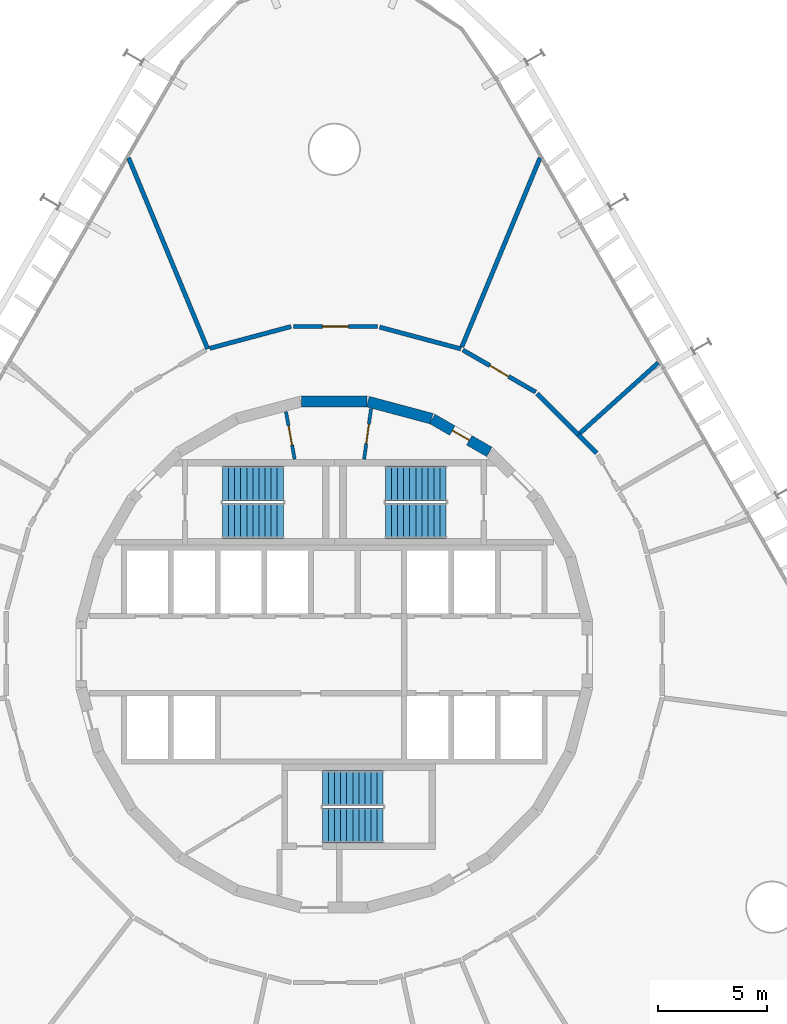
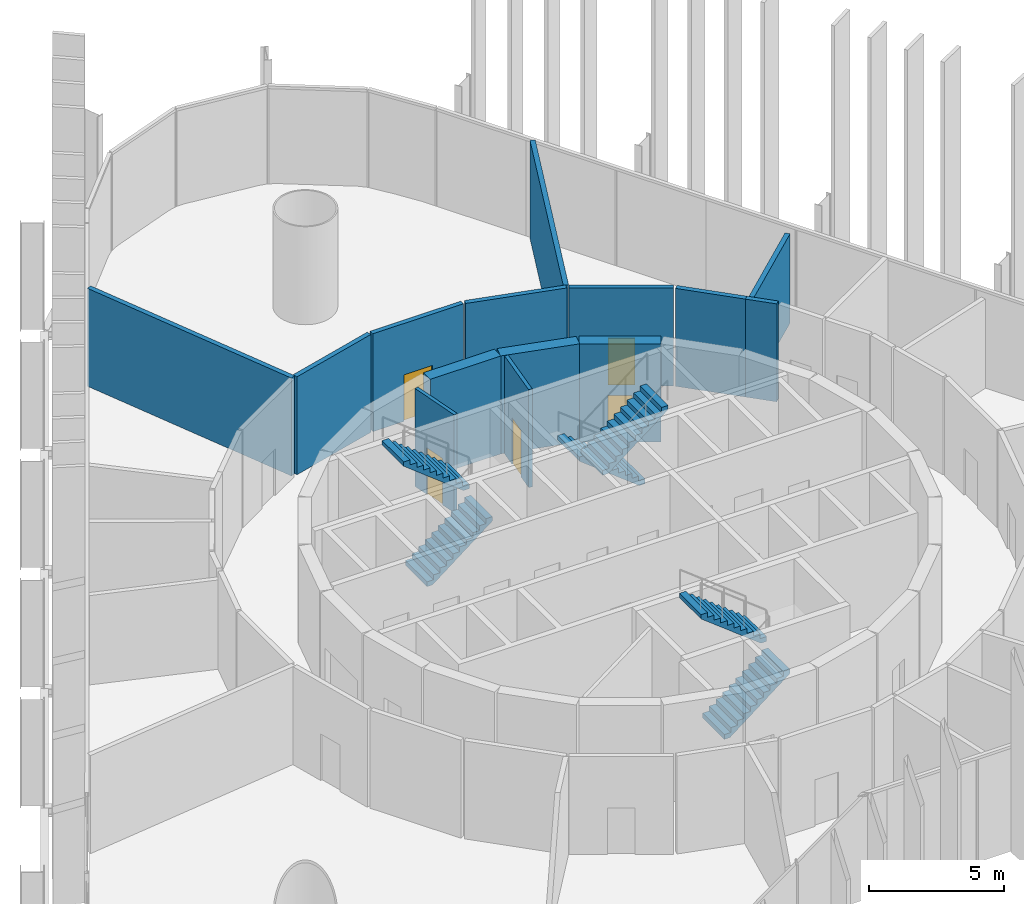
# One storey, part 16 of 17: 14 walls, 6 stair flights, 5 doors, 5 openings, 3 elements without a shape of their own.
"""IFC4 building model written with IfcOpenShell, lengths in metres."""

from ifc_helpers import new_model, si_unit, direction, frame, frame_2d, origin, place, context, subcontext, project, spatial, polyline, rectangle, outline, extrude, material, layer, layer_set, type_object, element, fill, aggregate, save


model = new_model("IFC4")

# Units and contexts
model_context = context("Model", 3, precision=1e-05, world=origin(), true_north=direction((0.0, 1.0)))
body_context = subcontext(model_context, "Body", "Model", "MODEL_VIEW")
ifc_project = project(units=[si_unit("LENGTHUNIT", "METRE"), si_unit("AREAUNIT", "SQUARE_METRE"), si_unit("VOLUMEUNIT", "CUBIC_METRE"), si_unit("PLANEANGLEUNIT", "RADIAN"), si_unit("MASSUNIT", "GRAM", prefix="KILO")], contexts=[model_context])

# Site, building, storey
site_placement = place(None, origin())
site = spatial("IfcSite", under=ifc_project, at=site_placement, CompositionType="ELEMENT")
building_placement = place(site_placement, origin())
building = spatial("IfcBuilding", under=site, at=building_placement, Name="Spindle Arch Residences", CompositionType="ELEMENT")
storey_placement = place(building_placement, frame((0.0, 0.0, 18.60009765625)))
storey = spatial("IfcBuildingStorey", under=building, at=storey_placement, Name="L03", CompositionType="ELEMENT", Elevation=18.60009765625)

# Wall, opening, door
ifc_material_1 = material(Name="Concrete C50/60", Category="concrete")
ifc_layer_1 = layer(ifc_material_1, 0.5)
ifc_layer_set_1 = layer_set([ifc_layer_1], Name="Core outline wall 500")
wall_type_1 = type_object("IfcWallType", Name="Core outline wall 500", PredefinedType="SHEAR", material=ifc_layer_set_1)
wall_1_placement = place(storey_placement, frame((7.13671875, 9.32861328125, 0.0), z_axis=(0.0, 0.0, 1.0), x_axis=(-0.865975092491, 0.500087131594, 0.0)))
wall_1 = element("IfcWall", 1, at=wall_1_placement, inside=storey, type_object=wall_type_1, Name="Core outline wall 10", PredefinedType="SHEAR", context=body_context, shape_type="SweptSolid", body=[
    extrude(rectangle(XDim=3.03271484375, YDim=0.5, at=frame_2d((1.516357421875, 0.0))), origin(), (0.0, 0.0, 1.0), 4.419921875),
])
opening_1_placement = place(wall_1_placement, frame((1.06640625, 0.0, 0.0)))
opening_1 = element("IfcOpeningElement", 2, at=opening_1_placement, cuts=wall_1, Name="Opening L03-WD10", PredefinedType="OPENING", context=body_context, shape_type="SweptSolid", body=[
    extrude(rectangle(XDim=0.89990234375, YDim=2.10009765625, at=frame_2d((0.449951171875, 1.050048828125))), frame((0.0, 0.260009765625, 0.0), z_axis=(0.0, -1.0, 0.0), x_axis=(1.0, 0.0, 0.0)), (0.0, 0.0, 1.0), 0.52001953125),
])
ifc_material_2 = material(Name="Steel, fire-resisting door", Category="steel")
door_type_1 = type_object("IfcDoorType", Name="Service room door 900x2100", OperationType="SINGLE_SWING_LEFT", PredefinedType="DOOR", material=ifc_material_2)
door_1_placement = place(opening_1_placement, origin())
door_1 = element("IfcDoor", 3, at=door_1_placement, inside=storey, type_object=door_type_1, Name="Service room door L03-WD10", OperationType="SINGLE_SWING_LEFT", OverallHeight=2.10009765625, OverallWidth=0.89990234375, PredefinedType="DOOR", context=body_context, shape_type="SweptSolid", body=[
    extrude(rectangle(XDim=0.89990234375, YDim=2.10009765625, at=frame_2d((0.449951171875, 1.050048828125))), frame((0.0, 0.02490234375, 0.0), z_axis=(0.0, -1.0, 0.0), x_axis=(1.0, 0.0, 0.0)), (0.0, 0.0, 1.0), 0.050048828125),
])
fill(opening_1, door_1)

# Walls
for number, where, z_axis, x_axis, name in (
    (4, (4.479248046875, 10.858154296875, 0.0), (0.0, 0.0, 1.0), (-0.965948410781, 0.258734743916, 0.0), "Core outline wall 11"),
    (5, (1.516357421875, 11.647216796875, 0.0), (0.0, 0.0, 1.0), (-1.0, 0.0, 0.0), "Core outline wall 12"),
):
    element("IfcWall", number, at=place(storey_placement, frame(where, z_axis=z_axis, x_axis=x_axis)), inside=storey, type_object=wall_type_1, Name=name, PredefinedType="SHEAR", context=body_context, shape_type="SweptSolid", body=[
        extrude(rectangle(XDim=3.03271484375, YDim=0.5, at=frame_2d((1.516357421875, 0.0))), origin(), (0.0, 0.0, 1.0), 4.419921875),
    ])
ifc_material_3 = material(Name="Gypsum board partition on steel studs", Category="steel")
ifc_layer_2 = layer(ifc_material_3, 0.199951171875)
ifc_layer_set_2 = layer_set([ifc_layer_2], Name="Partition EI 60 200 amenity")
wall_type_2 = type_object("IfcWallType", Name="Partition EI 60 200 amenity", PredefinedType="PARTITIONING", material=ifc_layer_set_2)
wall_2_placement = place(storey_placement, frame((-5.830078125, 14.070068359375, 0.0), z_axis=(0.0, 0.0, 1.0), x_axis=(-0.382588257379, 0.923918949538, 0.0)))
element("IfcWall", 6, at=wall_2_placement, inside=storey, type_object=wall_type_2, Name="L03-W018", PredefinedType="PARTITIONING", context=body_context, shape_type="SweptSolid", body=[
    extrude(rectangle(XDim=9.513916015625, YDim=0.199951171875, at=frame_2d((4.7568359375, 0.0))), origin(), (0.0, 0.0, 1.0), 4.419921875),
])
wall_3_placement = place(storey_placement, frame((-1.989990234375, 15.10009765625, 0.0), z_axis=(0.0, 0.0, 1.0), x_axis=(-0.96585437197, -0.259085569159, 0.0)))
element("IfcWall", 7, at=wall_3_placement, inside=storey, type_object=wall_type_2, Name="L03-W023", PredefinedType="PARTITIONING", context=body_context, shape_type="SweptSolid", body=[
    extrude(rectangle(XDim=3.875732421875, YDim=0.199951171875, at=frame_2d((1.93798828125, 0.0))), origin(), (0.0, 0.0, 1.0), 4.419921875),
])

# Wall, opening, door
wall_4_placement = place(storey_placement, frame((1.989990234375, 15.10009765625, 0.0), z_axis=(0.0, 0.0, 1.0), x_axis=(-1.0, 0.0, 0.0)))
wall_4 = element("IfcWall", 8, at=wall_4_placement, inside=storey, type_object=wall_type_2, Name="L03-W025", PredefinedType="PARTITIONING", context=body_context, shape_type="SweptSolid", body=[
    extrude(rectangle(XDim=3.8798828125, YDim=0.199951171875, at=frame_2d((1.93994140625, 0.0))), origin(), (0.0, 0.0, 1.0), 4.419921875),
])
opening_2_placement = place(wall_4_placement, frame((1.340087890625, 0.0, 0.0)))
opening_2 = element("IfcOpeningElement", 9, at=opening_2_placement, cuts=wall_4, Name="Opening L03-D15", PredefinedType="OPENING", context=body_context, shape_type="SweptSolid", body=[
    extrude(rectangle(XDim=1.199951171875, YDim=2.10009765625, at=frame_2d((0.60009765625, 1.050048828125))), frame((0.0, 0.10986328125, 0.0), z_axis=(0.0, -1.0, 0.0), x_axis=(1.0, 0.0, 0.0)), (0.0, 0.0, 1.0), 0.219970703125),
])
ifc_material_4 = material(Name="Timber door leaf", Category="wood")
door_type_2 = type_object("IfcDoorType", Name="Door 1200x2100 EI 30", OperationType="SINGLE_SWING_LEFT", PredefinedType="DOOR", material=ifc_material_4)
door_2_placement = place(opening_2_placement, origin())
door_2 = element("IfcDoor", 10, at=door_2_placement, inside=storey, type_object=door_type_2, Name="L03-D15", OperationType="SINGLE_SWING_LEFT", OverallHeight=2.10009765625, OverallWidth=1.199951171875, PredefinedType="DOOR", context=body_context, shape_type="SweptSolid", body=[
    extrude(rectangle(XDim=1.199951171875, YDim=2.10009765625, at=frame_2d((0.60009765625, 1.050048828125))), frame((0.0, 0.02490234375, 0.0), z_axis=(0.0, -1.0, 0.0), x_axis=(1.0, 0.0, 0.0)), (0.0, 0.0, 1.0), 0.050048828125),
])
fill(opening_2, door_2)

# Wall
wall_5_placement = place(storey_placement, frame((5.830078125, 14.070068359375, 0.0), z_axis=(0.0, 0.0, 1.0), x_axis=(-0.965870133458, 0.259026804199, 0.0)))
element("IfcWall", 11, at=wall_5_placement, inside=storey, type_object=wall_type_2, Name="L03-W030", PredefinedType="PARTITIONING", context=body_context, shape_type="SweptSolid", body=[
    extrude(rectangle(XDim=3.875732421875, YDim=0.199951171875, at=frame_2d((1.93798828125, 0.0))), origin(), (0.0, 0.0, 1.0), 4.419921875),
])

# Wall, opening, door
wall_6_placement = place(storey_placement, frame((9.27001953125, 12.080078125, 0.0), z_axis=(0.0, 0.0, 1.0), x_axis=(-0.865601686425, 0.500733182901, 0.0)))
wall_6 = element("IfcWall", 12, at=wall_6_placement, inside=storey, type_object=wall_type_2, Name="L03-W034", PredefinedType="PARTITIONING", context=body_context, shape_type="SweptSolid", body=[
    extrude(rectangle(XDim=3.874267578125, YDim=0.199951171875, at=frame_2d((1.93701171875, 0.0))), origin(), (0.0, 0.0, 1.0), 4.419921875),
])
opening_3_placement = place(wall_6_placement, frame((1.43701171875, 0.0, 0.0)))
opening_3 = element("IfcOpeningElement", 13, at=opening_3_placement, cuts=wall_6, Name="Opening L03-D14", PredefinedType="OPENING", context=body_context, shape_type="SweptSolid", body=[
    extrude(rectangle(XDim=1.0, YDim=2.10009765625, at=frame_2d((0.5, 1.050048828125))), frame((0.0, 0.10986328125, 0.0), z_axis=(0.0, -1.0, 0.0), x_axis=(1.0, 0.0, 0.0)), (0.0, 0.0, 1.0), 0.219970703125),
])
ifc_material_5 = material(Name="Timber door leaf", Category="wood")
door_type_3 = type_object("IfcDoorType", Name="Door 1000x2100 EI 30", OperationType="SINGLE_SWING_LEFT", PredefinedType="DOOR", material=ifc_material_5)
door_3_placement = place(opening_3_placement, origin())
door_3 = element("IfcDoor", 14, at=door_3_placement, inside=storey, type_object=door_type_3, Name="L03-D14", OperationType="SINGLE_SWING_LEFT", OverallHeight=2.10009765625, OverallWidth=1.0, PredefinedType="DOOR", context=body_context, shape_type="SweptSolid", body=[
    extrude(rectangle(XDim=1.0, YDim=2.10009765625, at=frame_2d((0.5, 1.050048828125))), frame((0.0, 0.02490234375, 0.0), z_axis=(0.0, -1.0, 0.0), x_axis=(1.0, 0.0, 0.0)), (0.0, 0.0, 1.0), 0.050048828125),
])
fill(opening_3, door_3)

# Walls
wall_7_placement = place(storey_placement, frame((9.469970703125, 22.860107421875, 0.0), z_axis=(0.0, 0.0, 1.0), x_axis=(-0.382599926304, -0.923914117433, 0.0)))
element("IfcWall", 15, at=wall_7_placement, inside=storey, type_object=wall_type_2, Name="L03-W035", PredefinedType="PARTITIONING", context=body_context, shape_type="SweptSolid", body=[
    extrude(rectangle(XDim=9.4140625, YDim=0.199951171875, at=frame_2d((4.70703125, 0.0))), origin(), (0.0, 0.0, 1.0), 4.419921875),
])
wall_8_placement = place(storey_placement, frame((11.22998046875, 10.1201171875, 0.0), z_axis=(0.0, 0.0, 1.0), x_axis=(-0.707106781187, 0.707106781187, 0.0)))
element("IfcWall", 16, at=wall_8_placement, inside=storey, type_object=wall_type_2, Name="L03-W036", PredefinedType="PARTITIONING", context=body_context, shape_type="SweptSolid", body=[
    extrude(rectangle(XDim=2.671630859375, YDim=0.199951171875, at=frame_2d((1.3359375, 0.0))), origin(), (0.0, 0.0, 1.0), 4.419921875),
])
wall_9_placement = place(storey_placement, frame((11.304443359375, 10.186767578125, 0.0), z_axis=(0.0, 0.0, 1.0), x_axis=(0.743474354937, 0.668764445489, 0.0)))
element("IfcWall", 17, at=wall_9_placement, inside=storey, type_object=wall_type_2, Name="L03-W037", PredefinedType="PARTITIONING", context=body_context, shape_type="SweptSolid", body=[
    extrude(rectangle(XDim=4.849365234375, YDim=0.199951171875, at=frame_2d((2.4248046875, 0.0))), origin(), (0.0, 0.0, 1.0), 4.02978515625),
])
wall_10_placement = place(storey_placement, frame((12.080078125, 9.27001953125, 0.0), z_axis=(0.0, 0.0, 1.0), x_axis=(-0.707106781187, 0.707106781187, 0.0)))
element("IfcWall", 18, at=wall_10_placement, inside=storey, type_object=wall_type_2, Name="L03-W039", PredefinedType="PARTITIONING", context=body_context, shape_type="SweptSolid", body=[
    extrude(rectangle(XDim=1.2021484375, YDim=0.199951171875, at=frame_2d((0.60107421875, 0.0))), origin(), (0.0, 0.0, 1.0), 4.419921875),
])

# Wall, opening, door
ifc_material_6 = material(Name="Concrete C25/30", Category="concrete")
ifc_layer_3 = layer(ifc_material_6, 0.14990234375)
ifc_layer_set_3 = layer_set([ifc_layer_3], Name="Service room partition 150")
wall_type_3 = type_object("IfcWallType", Name="Service room partition 150", PredefinedType="PARTITIONING", material=ifc_layer_set_3)
wall_11_placement = place(storey_placement, frame((1.69091796875, 11.32568359375, 0.0), z_axis=(0.0, 0.0, 1.0), x_axis=(-0.135344253201, -0.990798633994, 0.0)))
wall_11 = element("IfcWall", 19, at=wall_11_placement, inside=storey, type_object=wall_type_3, Name="Core service room partition", PredefinedType="PARTITIONING", context=body_context, shape_type="SweptSolid", body=[
    extrude(rectangle(XDim=2.357666015625, YDim=0.14990234375, at=frame_2d((1.1787109375, 0.0))), origin(), (0.0, 0.0, 1.0), 4.419921875),
])
opening_4_placement = place(wall_11_placement, frame((0.728759765625, 0.0, 0.0)))
opening_4 = element("IfcOpeningElement", 20, at=opening_4_placement, cuts=wall_11, Name="Opening L03-WD06", PredefinedType="OPENING", context=body_context, shape_type="SweptSolid", body=[
    extrude(rectangle(XDim=0.89990234375, YDim=2.10009765625, at=frame_2d((0.449951171875, 1.050048828125))), frame((0.0, 0.0849609375, 0.0), z_axis=(0.0, -1.0, 0.0), x_axis=(1.0, 0.0, 0.0)), (0.0, 0.0, 1.0), 0.169921875),
])
door_4_placement = place(opening_4_placement, origin())
door_4 = element("IfcDoor", 21, at=door_4_placement, inside=storey, type_object=door_type_1, Name="Service room door L03-WD06", OperationType="SINGLE_SWING_LEFT", OverallHeight=2.10009765625, OverallWidth=0.89990234375, PredefinedType="DOOR", context=body_context, shape_type="SweptSolid", body=[
    extrude(rectangle(XDim=0.89990234375, YDim=2.10009765625, at=frame_2d((0.449951171875, 1.050048828125))), frame((0.0, 0.02490234375, 0.0), z_axis=(0.0, -1.0, 0.0), x_axis=(1.0, 0.0, 0.0)), (0.0, 0.0, 1.0), 0.050048828125),
])
fill(opening_4, door_4)

wall_12_placement = place(storey_placement, frame((-1.824951171875, 8.98974609375, 0.0), z_axis=(0.0, 0.0, 1.0), x_axis=(-0.179955206115, 0.983674805915, 0.0)))
wall_12 = element("IfcWall", 22, at=wall_12_placement, inside=storey, type_object=wall_type_3, Name="Core service room partition", PredefinedType="PARTITIONING", context=body_context, shape_type="SweptSolid", body=[
    extrude(rectangle(XDim=2.22900390625, YDim=0.14990234375, at=frame_2d((1.114501953125, 0.0))), origin(), (0.0, 0.0, 1.0), 4.419921875),
])
opening_5_placement = place(wall_12_placement, frame((0.66455078125, 0.0, 0.0)))
opening_5 = element("IfcOpeningElement", 23, at=opening_5_placement, cuts=wall_12, Name="Opening L03-WD07", PredefinedType="OPENING", context=body_context, shape_type="SweptSolid", body=[
    extrude(rectangle(XDim=0.89990234375, YDim=2.10009765625, at=frame_2d((0.449951171875, 1.050048828125))), frame((0.0, 0.0849609375, 0.0), z_axis=(0.0, -1.0, 0.0), x_axis=(1.0, 0.0, 0.0)), (0.0, 0.0, 1.0), 0.169921875),
])
door_5_placement = place(opening_5_placement, origin())
door_5 = element("IfcDoor", 24, at=door_5_placement, inside=storey, type_object=door_type_1, Name="Service room door L03-WD07", OperationType="SINGLE_SWING_RIGHT", OverallHeight=2.10009765625, OverallWidth=0.89990234375, PredefinedType="DOOR", context=body_context, shape_type="SweptSolid", body=[
    extrude(rectangle(XDim=0.89990234375, YDim=2.10009765625, at=frame_2d((0.449951171875, 1.050048828125))), frame((0.0, 0.02490234375, 0.0), z_axis=(0.0, -1.0, 0.0), x_axis=(1.0, 0.0, 0.0)), (0.0, 0.0, 1.0), 0.050048828125),
])
fill(opening_5, door_5)

# Stair, stair flights
ifc_material_7 = material(Name="Concrete C50/60", Category="concrete")
stair_type = type_object("IfcStairType", Name="Exit stair 22 risers", PredefinedType="HALF_TURN_STAIR", material=ifc_material_7)
stair_1_placement = place(storey_placement, origin())
stair_1 = element("IfcStair", 25, at=stair_1_placement, inside=storey, type_object=stair_type, Name="L03 Exit stair ST1", PredefinedType="HALF_TURN_STAIR")
ifc_material_8 = material(Name="Concrete C50/60", Category="concrete")
stair_flight_type = type_object("IfcStairFlightType", Name="Exit stair flight", PredefinedType="STRAIGHT", material=ifc_material_8)
stair_flight_1_placement = place(storey_placement, frame((5.14990234375, 7.8701171875, 0.0), z_axis=(0.0, 0.0, 1.0), x_axis=(-1.0, 0.0, 0.0)))
stair_flight_1 = element("IfcStairFlight", 26, at=stair_flight_1_placement, type_object=stair_flight_type, Name="ST1 flight 1", NumberOfRisers=11, NumberOfTreads=10, PredefinedType="STRAIGHT", RiserHeight=0.218181818, TreadLength=0.28, context=body_context, shape_type="SweptSolid", body=[
    extrude(outline(polyline([(0.0, 0.0), (0.0, 0.21826171875), (0.280029296875, 0.21826171875), (0.280029296875, 0.436279296875), (0.56005859375, 0.436279296875), (0.56005859375, 0.654541015625), (0.840087890625, 0.654541015625), (0.840087890625, 0.872802734375), (1.1201171875, 0.872802734375), (1.1201171875, 1.0908203125), (1.39990234375, 1.0908203125), (1.39990234375, 1.30908203125), (1.679931640625, 1.30908203125), (1.679931640625, 1.52734375), (1.9599609375, 1.52734375), (1.9599609375, 1.745361328125), (2.239990234375, 1.745361328125), (2.239990234375, 1.963623046875), (2.52001953125, 1.963623046875), (2.52001953125, 2.181884765625), (2.800048828125, 2.181884765625), (2.800048828125, 2.39990234375), (2.800048828125, 1.99169921875), (0.243896484375, 0.0), (0.0, 0.0)])), frame((0.0, 0.800048828125, 0.0), z_axis=(0.0, -1.0, 0.0), x_axis=(1.0, 0.0, 0.0)), (0.0, 0.0, 1.0), 1.60009765625),
])
stair_flight_2_placement = place(storey_placement, frame((2.35009765625, 6.14990234375, 2.39990234375), z_axis=(0.0, 0.0, 1.0), x_axis=(1.0, 0.0, 0.0)))
stair_flight_2 = element("IfcStairFlight", 27, at=stair_flight_2_placement, type_object=stair_flight_type, Name="ST1 flight 2", NumberOfRisers=11, NumberOfTreads=10, PredefinedType="STRAIGHT", RiserHeight=0.218181818, TreadLength=0.28, context=body_context, shape_type="SweptSolid", body=[
    extrude(outline(polyline([(0.0, 0.0), (0.0, 0.21826171875), (0.280029296875, 0.21826171875), (0.280029296875, 0.436279296875), (0.56005859375, 0.436279296875), (0.56005859375, 0.654541015625), (0.840087890625, 0.654541015625), (0.840087890625, 0.872802734375), (1.1201171875, 0.872802734375), (1.1201171875, 1.0908203125), (1.39990234375, 1.0908203125), (1.39990234375, 1.30908203125), (1.679931640625, 1.30908203125), (1.679931640625, 1.52734375), (1.9599609375, 1.52734375), (1.9599609375, 1.745361328125), (2.239990234375, 1.745361328125), (2.239990234375, 1.963623046875), (2.52001953125, 1.963623046875), (2.52001953125, 2.181884765625), (2.800048828125, 2.181884765625), (2.800048828125, 2.39990234375), (2.800048828125, 1.99169921875), (0.243896484375, 0.0), (0.0, 0.0)])), frame((0.0, 0.800048828125, 0.0), z_axis=(0.0, -1.0, 0.0), x_axis=(1.0, 0.0, 0.0)), (0.0, 0.0, 1.0), 1.60009765625),
])
aggregate(stair_1, [stair_flight_1, stair_flight_2])

stair_2_placement = place(storey_placement, origin())
stair_2 = element("IfcStair", 28, at=stair_2_placement, inside=storey, type_object=stair_type, Name="L03 Exit stair ST2", PredefinedType="HALF_TURN_STAIR")
stair_flight_3_placement = place(storey_placement, frame((-5.14990234375, 6.14990234375, 0.0), z_axis=(0.0, 0.0, 1.0), x_axis=(1.0, 0.0, 0.0)))
stair_flight_3 = element("IfcStairFlight", 29, at=stair_flight_3_placement, type_object=stair_flight_type, Name="ST2 flight 1", NumberOfRisers=11, NumberOfTreads=10, PredefinedType="STRAIGHT", RiserHeight=0.218181818, TreadLength=0.28, context=body_context, shape_type="SweptSolid", body=[
    extrude(outline(polyline([(0.0, 0.0), (0.0, 0.21826171875), (0.280029296875, 0.21826171875), (0.280029296875, 0.436279296875), (0.56005859375, 0.436279296875), (0.56005859375, 0.654541015625), (0.840087890625, 0.654541015625), (0.840087890625, 0.872802734375), (1.1201171875, 0.872802734375), (1.1201171875, 1.0908203125), (1.39990234375, 1.0908203125), (1.39990234375, 1.30908203125), (1.679931640625, 1.30908203125), (1.679931640625, 1.52734375), (1.9599609375, 1.52734375), (1.9599609375, 1.745361328125), (2.239990234375, 1.745361328125), (2.239990234375, 1.963623046875), (2.52001953125, 1.963623046875), (2.52001953125, 2.181884765625), (2.800048828125, 2.181884765625), (2.800048828125, 2.39990234375), (2.800048828125, 1.99169921875), (0.243896484375, 0.0), (0.0, 0.0)])), frame((0.0, 0.800048828125, 0.0), z_axis=(0.0, -1.0, 0.0), x_axis=(1.0, 0.0, 0.0)), (0.0, 0.0, 1.0), 1.60009765625),
])
stair_flight_4_placement = place(storey_placement, frame((-2.35009765625, 7.8701171875, 2.39990234375), z_axis=(0.0, 0.0, 1.0), x_axis=(-1.0, 0.0, 0.0)))
stair_flight_4 = element("IfcStairFlight", 30, at=stair_flight_4_placement, type_object=stair_flight_type, Name="ST2 flight 2", NumberOfRisers=11, NumberOfTreads=10, PredefinedType="STRAIGHT", RiserHeight=0.218181818, TreadLength=0.28, context=body_context, shape_type="SweptSolid", body=[
    extrude(outline(polyline([(0.0, 0.0), (0.0, 0.21826171875), (0.280029296875, 0.21826171875), (0.280029296875, 0.436279296875), (0.56005859375, 0.436279296875), (0.56005859375, 0.654541015625), (0.840087890625, 0.654541015625), (0.840087890625, 0.872802734375), (1.1201171875, 0.872802734375), (1.1201171875, 1.0908203125), (1.39990234375, 1.0908203125), (1.39990234375, 1.30908203125), (1.679931640625, 1.30908203125), (1.679931640625, 1.52734375), (1.9599609375, 1.52734375), (1.9599609375, 1.745361328125), (2.239990234375, 1.745361328125), (2.239990234375, 1.963623046875), (2.52001953125, 1.963623046875), (2.52001953125, 2.181884765625), (2.800048828125, 2.181884765625), (2.800048828125, 2.39990234375), (2.800048828125, 1.99169921875), (0.243896484375, 0.0), (0.0, 0.0)])), frame((0.0, 0.800048828125, 0.0), z_axis=(0.0, -1.0, 0.0), x_axis=(1.0, 0.0, 0.0)), (0.0, 0.0, 1.0), 1.60009765625),
])
aggregate(stair_2, [stair_flight_3, stair_flight_4])

stair_3_placement = place(storey_placement, origin())
stair_3 = element("IfcStair", 31, at=stair_3_placement, inside=storey, type_object=stair_type, Name="L03 Exit stair ST3", PredefinedType="HALF_TURN_STAIR")
stair_flight_5_placement = place(storey_placement, frame((-0.550048828125, -7.8701171875, 0.0), z_axis=(0.0, 0.0, 1.0), x_axis=(1.0, 0.0, 0.0)))
stair_flight_5 = element("IfcStairFlight", 32, at=stair_flight_5_placement, type_object=stair_flight_type, Name="ST3 flight 1", NumberOfRisers=11, NumberOfTreads=10, PredefinedType="STRAIGHT", RiserHeight=0.218181818, TreadLength=0.28, context=body_context, shape_type="SweptSolid", body=[
    extrude(outline(polyline([(0.0, 0.0), (0.0, 0.21826171875), (0.280029296875, 0.21826171875), (0.280029296875, 0.436279296875), (0.56005859375, 0.436279296875), (0.56005859375, 0.654541015625), (0.840087890625, 0.654541015625), (0.840087890625, 0.872802734375), (1.1201171875, 0.872802734375), (1.1201171875, 1.0908203125), (1.39990234375, 1.0908203125), (1.39990234375, 1.30908203125), (1.679931640625, 1.30908203125), (1.679931640625, 1.52734375), (1.9599609375, 1.52734375), (1.9599609375, 1.745361328125), (2.239990234375, 1.745361328125), (2.239990234375, 1.963623046875), (2.52001953125, 1.963623046875), (2.52001953125, 2.181884765625), (2.800048828125, 2.181884765625), (2.800048828125, 2.39990234375), (2.800048828125, 1.99169921875), (0.243896484375, 0.0), (0.0, 0.0)])), frame((0.0, 0.800048828125, 0.0), z_axis=(0.0, -1.0, 0.0), x_axis=(1.0, 0.0, 0.0)), (0.0, 0.0, 1.0), 1.60009765625),
])
stair_flight_6_placement = place(storey_placement, frame((2.25, -6.14990234375, 2.39990234375), z_axis=(0.0, 0.0, 1.0), x_axis=(-1.0, 0.0, 0.0)))
stair_flight_6 = element("IfcStairFlight", 33, at=stair_flight_6_placement, type_object=stair_flight_type, Name="ST3 flight 2", NumberOfRisers=11, NumberOfTreads=10, PredefinedType="STRAIGHT", RiserHeight=0.218181818, TreadLength=0.28, context=body_context, shape_type="SweptSolid", body=[
    extrude(outline(polyline([(0.0, 0.0), (0.0, 0.21826171875), (0.280029296875, 0.21826171875), (0.280029296875, 0.436279296875), (0.56005859375, 0.436279296875), (0.56005859375, 0.654541015625), (0.840087890625, 0.654541015625), (0.840087890625, 0.872802734375), (1.1201171875, 0.872802734375), (1.1201171875, 1.0908203125), (1.39990234375, 1.0908203125), (1.39990234375, 1.30908203125), (1.679931640625, 1.30908203125), (1.679931640625, 1.52734375), (1.9599609375, 1.52734375), (1.9599609375, 1.745361328125), (2.239990234375, 1.745361328125), (2.239990234375, 1.963623046875), (2.52001953125, 1.963623046875), (2.52001953125, 2.181884765625), (2.800048828125, 2.181884765625), (2.800048828125, 2.39990234375), (2.800048828125, 1.99169921875), (0.243896484375, 0.0), (0.0, 0.0)])), frame((0.0, 0.800048828125, 0.0), z_axis=(0.0, -1.0, 0.0), x_axis=(1.0, 0.0, 0.0)), (0.0, 0.0, 1.0), 1.60009765625),
])
aggregate(stair_3, [stair_flight_5, stair_flight_6])

save(model, "model.ifc")
